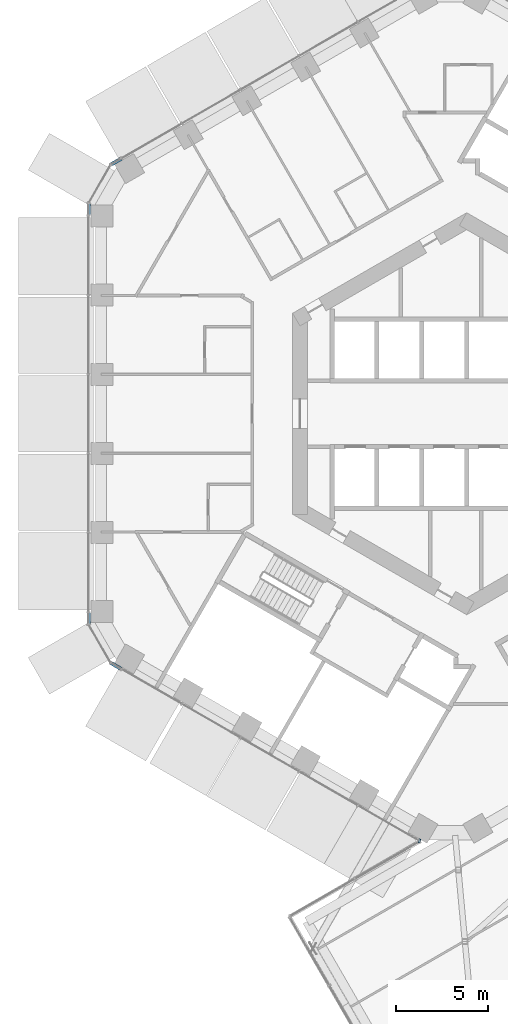
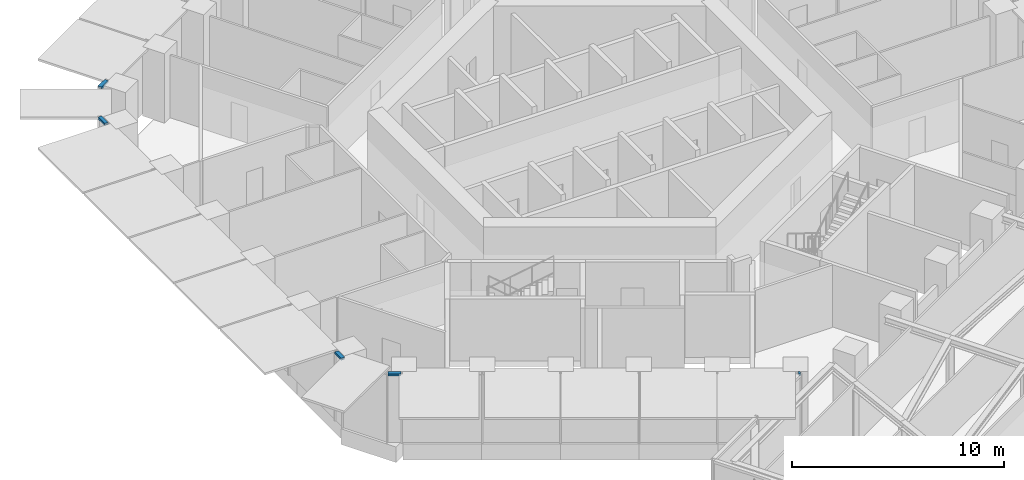
# One storey, part 9 of 28: 5 members, 3 elements without a shape of their own.
"""IFC4 building model written with IfcOpenShell, lengths in metres."""

from ifc_helpers import new_model, si_unit, direction, frame, origin, origin_2d, place, context, subcontext, project, spatial, rectangle, extrude, material, layer, layer_set, material_profile, profile_set, type_object, element, aggregate, save


model = new_model("IFC4")

# Units and contexts
model_context = context("Model", 3, precision=1e-05, world=origin(), true_north=direction((0.0, 1.0)))
body_context = subcontext(model_context, "Body", "Model", "MODEL_VIEW")
ifc_project = project(units=[si_unit("LENGTHUNIT", "METRE"), si_unit("AREAUNIT", "SQUARE_METRE"), si_unit("VOLUMEUNIT", "CUBIC_METRE"), si_unit("PLANEANGLEUNIT", "RADIAN"), si_unit("MASSUNIT", "GRAM", prefix="KILO")], contexts=[model_context])

# Site, building, storey
site_placement = place(None, origin())
site = spatial("IfcSite", under=ifc_project, at=site_placement, CompositionType="ELEMENT")
building_placement = place(site_placement, origin())
building = spatial("IfcBuilding", under=site, at=building_placement, Name="Ayvan Gate Tower", CompositionType="ELEMENT")
storey_placement = place(building_placement, frame((0.0, 0.0, 74.300048828125)))
storey = spatial("IfcBuildingStorey", under=building, at=storey_placement, Name="L19", CompositionType="ELEMENT", Elevation=74.300048828125)

# Curtain wall, members
ifc_material = material(Name="Bronze anodised aluminium", Category="aluminium")
ifc_layer = layer(ifc_material, 0.199951171875)
ifc_layer_set = layer_set([ifc_layer], Name="Bronze anodised aluminium")
curtain_wall_type = type_object("IfcCurtainWallType", Name="Stick curtain wall CW-6", PredefinedType="NOTDEFINED", material=ifc_layer_set)
curtain_wall_1_placement = place(storey_placement, origin())
curtain_wall_1 = element("IfcCurtainWall", 1, at=curtain_wall_1_placement, inside=storey, type_object=curtain_wall_type, Name="Stick curtain wall CW-6 L19", PredefinedType="NOTDEFINED")
ifc_material_profile = material_profile(ifc_material, rectangle(XDim=0.199951171875, YDim=0.1201171875, at=origin_2d()), Name="Stick curtain wall CW-6 transom 200 x 120")
ifc_profile_set = profile_set([ifc_material_profile], Name="Bronze anodised aluminium")
member_type = type_object("IfcMemberType", Name="Stick curtain wall CW-6 transom 200 x 120", PredefinedType="USERDEFINED", material=ifc_profile_set)
member_1_placement = place(storey_placement, frame((-18.862548828125, 13.91796875, 3.93994140625), z_axis=(-0.866022959057, -0.500004234368, 0.0), x_axis=(0.500004234368, -0.866022959057, 0.0)))
member_1 = element("IfcMember", 2, at=member_1_placement, type_object=member_type, Name="CW-6 transom 1", ObjectType="TRANSOM", PredefinedType="USERDEFINED", context=body_context, shape_type="SweptSolid", body=[
    extrude(rectangle(XDim=0.199951171875, YDim=0.1201171875, at=origin_2d()), origin(), (0.0, 0.0, 1.0), 0.625),
])
member_2_placement = place(storey_placement, frame((-20.6328125, 11.476806640625, 3.93994140625), z_axis=(0.0, -1.0, 0.0), x_axis=(1.0, 0.0, 0.0)))
member_2 = element("IfcMember", 3, at=member_2_placement, type_object=member_type, Name="CW-6 transom 2", ObjectType="TRANSOM", PredefinedType="USERDEFINED", context=body_context, shape_type="SweptSolid", body=[
    extrude(rectangle(XDim=0.199951171875, YDim=0.1201171875, at=origin_2d()), origin(), (0.0, 0.0, 1.0), 0.625),
])
aggregate(curtain_wall_1, [member_1, member_2])

curtain_wall_2_placement = place(storey_placement, origin())
curtain_wall_2 = element("IfcCurtainWall", 4, at=curtain_wall_2_placement, inside=storey, type_object=curtain_wall_type, Name="Stick curtain wall CW-6 L19", PredefinedType="NOTDEFINED")
member_3_placement = place(storey_placement, frame((-20.6328125, -10.851806640625, 3.93994140625), z_axis=(0.0, -1.0, 0.0), x_axis=(1.0, 0.0, 0.0)))
member_3 = element("IfcMember", 5, at=member_3_placement, type_object=member_type, Name="CW-6 transom 1", ObjectType="TRANSOM", PredefinedType="USERDEFINED", context=body_context, shape_type="SweptSolid", body=[
    extrude(rectangle(XDim=0.199951171875, YDim=0.1201171875, at=origin_2d()), origin(), (0.0, 0.0, 1.0), 0.625),
])
member_4_placement = place(storey_placement, frame((-19.40380859375, -13.60546875, 3.93994140625), z_axis=(0.866022959057, -0.500004234368, 0.0), x_axis=(0.500004234368, 0.866022959057, 0.0)))
member_4 = element("IfcMember", 6, at=member_4_placement, type_object=member_type, Name="CW-6 transom 2", ObjectType="TRANSOM", PredefinedType="USERDEFINED", context=body_context, shape_type="SweptSolid", body=[
    extrude(rectangle(XDim=0.199951171875, YDim=0.1201171875, at=origin_2d()), origin(), (0.0, 0.0, 1.0), 0.625),
])
aggregate(curtain_wall_2, [member_3, member_4])

# Curtain wall, member
curtain_wall_3_placement = place(storey_placement, origin())
curtain_wall_3 = element("IfcCurtainWall", 7, at=curtain_wall_3_placement, inside=storey, type_object=curtain_wall_type, Name="Stick curtain wall CW-6 L19", PredefinedType="NOTDEFINED")
member_5_placement = place(storey_placement, frame((-2.6220703125, -23.29443359375, 3.93994140625), z_axis=(0.966112425525, -0.258121640407, 0.0), x_axis=(0.258121640407, 0.966112425525, 0.0)))
member_5 = element("IfcMember", 8, at=member_5_placement, type_object=member_type, Name="CW-6 transom 1", ObjectType="TRANSOM", PredefinedType="USERDEFINED", context=body_context, shape_type="SweptSolid", body=[
    extrude(rectangle(XDim=0.199951171875, YDim=0.1201171875, at=origin_2d()), origin(), (0.0, 0.0, 1.0), 0.099365234375),
])
aggregate(curtain_wall_3, [member_5])

save(model, "model.ifc")
